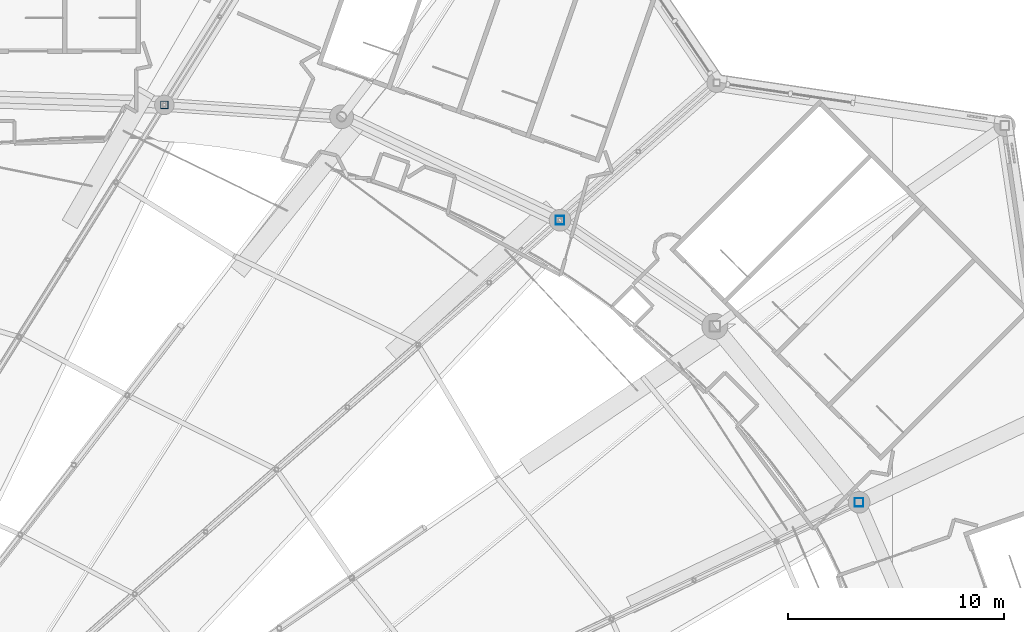
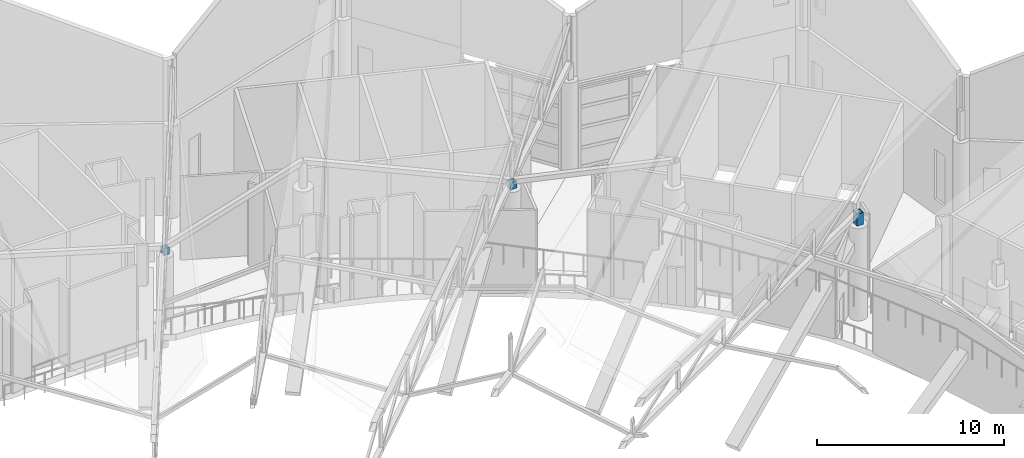
# One storey, part 223 of 344: 3 members.
"""IFC4 building model written with IfcOpenShell, lengths in metres."""

from ifc_helpers import new_model, si_unit, direction, frame, origin, origin_2d, place, context, subcontext, project, spatial, hollow_rectangle, extrude, material, material_profile, profile_set, type_object, element, save


model = new_model("IFC4")

# Units and contexts
model_context = context("Model", 3, precision=1e-05, world=origin(), true_north=direction((0.0, 1.0)))
body_context = subcontext(model_context, "Body", "Model", "MODEL_VIEW")
ifc_project = project(units=[si_unit("LENGTHUNIT", "METRE"), si_unit("AREAUNIT", "SQUARE_METRE"), si_unit("VOLUMEUNIT", "CUBIC_METRE"), si_unit("PLANEANGLEUNIT", "RADIAN"), si_unit("MASSUNIT", "GRAM", prefix="KILO")], contexts=[model_context])

# Site, building, storey
site_placement = place(None, origin())
site = spatial("IfcSite", under=ifc_project, at=site_placement, CompositionType="ELEMENT")
building_placement = place(site_placement, origin())
building = spatial("IfcBuilding", under=site, at=building_placement, Name="Meseta Stadium", CompositionType="ELEMENT")
storey_placement = place(building_placement, frame((0.0, 0.0, 24.0)))
storey = spatial("IfcBuildingStorey", under=building, at=storey_placement, Name="L04", CompositionType="ELEMENT", Elevation=24.0)

# Members
ifc_material_1 = material(Name="Steel S355", Category="steel")
ifc_material_profile_1 = material_profile(ifc_material_1, hollow_rectangle(XDim=0.35009765625, YDim=0.35009765625, WallThickness=0.010009765625, at=origin_2d()), Name="SHS 350x350x10")
ifc_profile_set_1 = profile_set([ifc_material_profile_1], Name="Steel S355")
member_type_1 = type_object("IfcMemberType", Name="SHS 350x350x10 pedestal", PredefinedType="POST", material=ifc_profile_set_1)
member_1_placement = place(storey_placement, frame((46.333251953125, 90.126220703125, 4.14990234375), z_axis=(0.0, 0.0, 1.0), x_axis=(1.0, 0.0, 0.0)))
element("IfcMember", 1, at=member_1_placement, inside=storey, type_object=member_type_1, Name="ROOF TRUSS RT-15 pedestal", PredefinedType="POST", context=body_context, shape_type="SweptSolid", body=[
    extrude(hollow_rectangle(XDim=0.35009765625, YDim=0.35009765625, WallThickness=0.010009765625, at=origin_2d()), origin(), (0.0, 0.0, 1.0), 0.448486328125),
])
ifc_material_2 = material(Name="Steel S355", Category="steel")
ifc_material_profile_2 = material_profile(ifc_material_2, hollow_rectangle(XDim=0.39990234375, YDim=0.39990234375, WallThickness=0.010009765625, at=origin_2d()), Name="SHS 400x400x10")
ifc_profile_set_2 = profile_set([ifc_material_profile_2], Name="Steel S355")
member_type_2 = type_object("IfcMemberType", Name="SHS 400x400x10 pedestal", PredefinedType="POST", material=ifc_profile_set_2)
member_2_placement = place(storey_placement, frame((78.4453125, 71.756103515625, 6.0), z_axis=(0.0, 0.0, 1.0), x_axis=(1.0, 0.0, 0.0)))
element("IfcMember", 2, at=member_2_placement, inside=storey, type_object=member_type_2, Name="ROOF TRUSS RT-11 pedestal", PredefinedType="POST", context=body_context, shape_type="SweptSolid", body=[
    extrude(hollow_rectangle(XDim=0.39990234375, YDim=0.39990234375, WallThickness=0.010009765625, at=origin_2d()), origin(), (0.0, 0.0, 1.0), 0.785400390625),
])
member_3_placement = place(storey_placement, frame((64.6220703125, 84.79248046875, 5.300048828125), z_axis=(0.0, 0.0, 1.0), x_axis=(1.0, 0.0, 0.0)))
element("IfcMember", 3, at=member_3_placement, inside=storey, type_object=member_type_2, Name="ROOF TRUSS RT-13 pedestal", PredefinedType="POST", context=body_context, shape_type="SweptSolid", body=[
    extrude(hollow_rectangle(XDim=0.39990234375, YDim=0.39990234375, WallThickness=0.010009765625, at=origin_2d()), origin(), (0.0, 0.0, 1.0), 0.43408203125),
])

save(model, "model.ifc")
